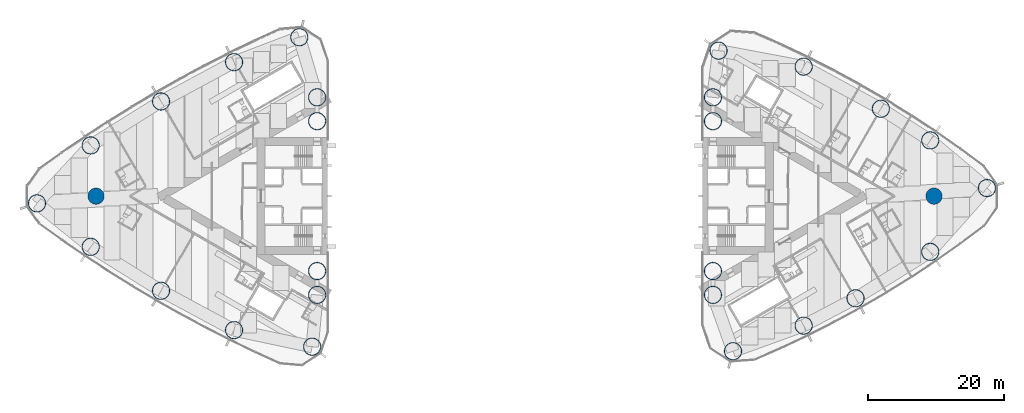
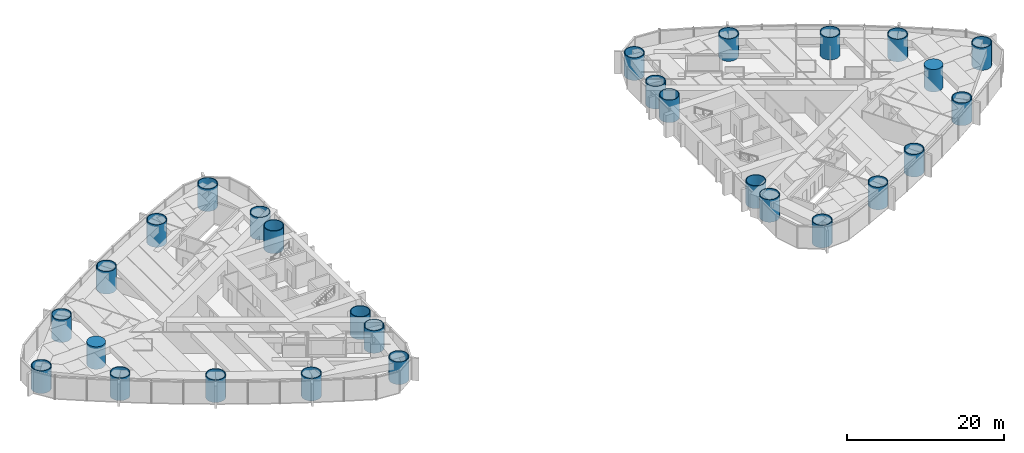
# One storey, part 1 of 18: 28 columns.
"""IFC4 building model written with IfcOpenShell, lengths in metres."""

from ifc_helpers import new_model, si_unit, direction, frame, origin, origin_2d, place, context, subcontext, project, spatial, circle, hollow_circle, extrude, material, material_profile, profile_set, type_object, element, save


model = new_model("IFC4")

# Units and contexts
model_context = context("Model", 3, precision=1e-05, world=origin(), true_north=direction((0.0, 1.0)))
body_context = subcontext(model_context, "Body", "Model", "MODEL_VIEW")
ifc_project = project(units=[si_unit("LENGTHUNIT", "METRE"), si_unit("AREAUNIT", "SQUARE_METRE"), si_unit("VOLUMEUNIT", "CUBIC_METRE"), si_unit("PLANEANGLEUNIT", "RADIAN"), si_unit("MASSUNIT", "GRAM", prefix="KILO")], contexts=[model_context])

# Site, building, storey
site_placement = place(None, origin())
site = spatial("IfcSite", under=ifc_project, at=site_placement, CompositionType="ELEMENT")
building_placement = place(site_placement, origin())
building = spatial("IfcBuilding", under=site, at=building_placement, Name="Lancet Gate Hotel", CompositionType="ELEMENT")
storey_placement = place(building_placement, frame((0.0, 0.0, 101.10009765625)))
storey = spatial("IfcBuildingStorey", under=building, at=storey_placement, Name="L26", CompositionType="ELEMENT", Elevation=101.10009765625)

# Columns
ifc_material_1 = material(Name="Concrete C80/95", Category="concrete")
ifc_material_profile_1 = material_profile(ifc_material_1, circle(Radius=1.199951171875, at=origin_2d()), Name="RC D2400")
ifc_profile_set_1 = profile_set([ifc_material_profile_1], Name="Concrete C80/95")
column_type_1 = type_object("IfcColumnType", Name="Apex column RC D2400", PredefinedType="COLUMN", material=ifc_profile_set_1)
for number, where, z_axis, x_axis, name in (
    (1, (-61.5, 0.0, 0.0), (0.0, 0.0, 1.0), (1.0, 0.0, 0.0), "T1 column AX L26"),
    (2, (61.5, 0.0, 0.0), (0.0, 0.0, 1.0), (1.0, 0.0, 0.0), "T2 column AX L26"),
):
    element("IfcColumn", number, at=place(storey_placement, frame(where, z_axis=z_axis, x_axis=x_axis)), inside=storey, type_object=column_type_1, Name=name, PredefinedType="COLUMN", context=body_context, shape_type="SweptSolid", body=[
        extrude(circle(Radius=1.199951171875, at=origin_2d()), origin(), (0.0, 0.0, 1.0), 3.5),
    ])
ifc_material_2 = material(Name="Composite filled tube, grade 460 plate, grade 80/95 fill", Category="composite")
ifc_material_profile_2 = material_profile(ifc_material_2, hollow_circle(Radius=1.300048828125, WallThickness=0.10009765625, at=origin_2d()), Name="CHS 2600x100")
ifc_profile_set_2 = profile_set([ifc_material_profile_2], Name="Composite filled tube, grade 460 plate, grade 80/95 fill")
column_type_2 = type_object("IfcColumnType", Name="Apex corner column CFT CHS 2600x100", PredefinedType="COLUMN", material=ifc_profile_set_2)
for number, where, z_axis, x_axis, name in (
    (3, (-70.16796875, -1.06005859375, 0.0), (0.0, 0.0, 1.0), (1.0, 0.0, 0.0), "T1 column CA L26"),
    (4, (69.268798828125, 1.1865234375, 0.0), (0.0, 0.0, 1.0), (1.0, 0.0, 0.0), "T2 column CA L26"),
):
    element("IfcColumn", number, at=place(storey_placement, frame(where, z_axis=z_axis, x_axis=x_axis)), inside=storey, type_object=column_type_2, Name=name, PredefinedType="COLUMN", context=body_context, shape_type="SweptSolid", body=[
        extrude(hollow_circle(Radius=1.300048828125, WallThickness=0.10009765625, at=origin_2d()), origin(), (0.0, 0.0, 1.0), 3.5),
    ])
ifc_material_3 = material(Name="Composite filled tube, grade 460 plate, grade 80/95 fill", Category="composite")
ifc_material_profile_3 = material_profile(ifc_material_3, hollow_circle(Radius=1.300048828125, WallThickness=0.10009765625, at=origin_2d()), Name="CHS 2600x100")
ifc_profile_set_3 = profile_set([ifc_material_profile_3], Name="Composite filled tube, grade 460 plate, grade 80/95 fill")
column_type_3 = type_object("IfcColumnType", Name="Perimeter column CFT CHS 2600x100", PredefinedType="COLUMN", material=ifc_profile_set_3)
for number, where, z_axis, x_axis, name in (
    (5, (-29.781005859375, -22.0947265625, 0.0), (0.0, 0.0, 1.0), (1.0, 0.0, 0.0), "T1 column CN L26"),
    (6, (-31.66455078125, 23.318359375, 0.0), (0.0, 0.0, 1.0), (1.0, 0.0, 0.0), "T1 column CS L26"),
    (7, (-29.050048828125, -11.0, 0.0), (0.0, 0.0, 1.0), (1.0, 0.0, 0.0), "T1 column IN L26"),
    (8, (-29.050048828125, 11.0, 0.0), (0.0, 0.0, 1.0), (1.0, 0.0, 0.0), "T1 column IS L26"),
    (9, (-29.050048828125, 14.5, 0.0), (0.0, 0.0, 1.0), (1.0, 0.0, 0.0), "T1 column IT L26"),
    (10, (-29.050048828125, -14.5, 0.0), (0.0, 0.0, 1.0), (1.0, 0.0, 0.0), "T1 column JT L26"),
    (11, (-62.28662109375, -7.444580078125, 0.0), (0.0, 0.0, 1.0), (1.0, 0.0, 0.0), "T1 column ON1 L26"),
    (12, (-51.963134765625, -13.89501953125, 0.0), (0.0, 0.0, 1.0), (1.0, 0.0, 0.0), "T1 column ON2 L26"),
    (13, (-41.244873046875, -19.665771484375, 0.0), (0.0, 0.0, 1.0), (1.0, 0.0, 0.0), "T1 column ON3 L26"),
    (14, (-41.244873046875, 19.665771484375, 0.0), (0.0, 0.0, 1.0), (1.0, 0.0, 0.0), "T1 column OS1 L26"),
    (15, (-51.963134765625, 13.89501953125, 0.0), (0.0, 0.0, 1.0), (1.0, 0.0, 0.0), "T1 column OS2 L26"),
    (16, (-62.28662109375, 7.444580078125, 0.0), (0.0, 0.0, 1.0), (1.0, 0.0, 0.0), "T1 column OS3 L26"),
    (17, (29.8720703125, 21.35498046875, 0.0), (0.0, 0.0, 1.0), (1.0, 0.0, 0.0), "T2 column CN L26"),
    (18, (31.99609375, -22.76318359375, 0.0), (0.0, 0.0, 1.0), (1.0, 0.0, 0.0), "T2 column CS L26"),
    (19, (29.050048828125, 11.0, 0.0), (0.0, 0.0, 1.0), (1.0, 0.0, 0.0), "T2 column IN L26"),
    (20, (29.050048828125, -11.0, 0.0), (0.0, 0.0, 1.0), (1.0, 0.0, 0.0), "T2 column IS L26"),
    (21, (29.050048828125, -14.5, 0.0), (0.0, 0.0, 1.0), (1.0, 0.0, 0.0), "T2 column IT L26"),
    (22, (29.050048828125, 14.5, 0.0), (0.0, 0.0, 1.0), (1.0, 0.0, 0.0), "T2 column JT L26"),
    (23, (60.940673828125, 8.18115234375, 0.0), (0.0, 0.0, 1.0), (1.0, 0.0, 0.0), "T2 column ON1 L26"),
    (24, (53.697021484375, 12.827392578125, 0.0), (0.0, 0.0, 1.0), (1.0, 0.0, 0.0), "T2 column ON2 L26"),
    (25, (42.3662109375, 19.007080078125, 0.0), (0.0, 0.0, 1.0), (1.0, 0.0, 0.0), "T2 column ON3 L26"),
    (26, (42.3662109375, -19.007080078125, 0.0), (0.0, 0.0, 1.0), (1.0, 0.0, 0.0), "T2 column OS1 L26"),
    (27, (49.97900390625, -14.994384765625, 0.0), (0.0, 0.0, 1.0), (1.0, 0.0, 0.0), "T2 column OS2 L26"),
    (28, (60.940673828125, -8.18115234375, 0.0), (0.0, 0.0, 1.0), (1.0, 0.0, 0.0), "T2 column OS3 L26"),
):
    element("IfcColumn", number, at=place(storey_placement, frame(where, z_axis=z_axis, x_axis=x_axis)), inside=storey, type_object=column_type_3, Name=name, PredefinedType="COLUMN", context=body_context, shape_type="SweptSolid", body=[
        extrude(hollow_circle(Radius=1.300048828125, WallThickness=0.10009765625, at=origin_2d()), origin(), (0.0, 0.0, 1.0), 3.5),
    ])

save(model, "model.ifc")
